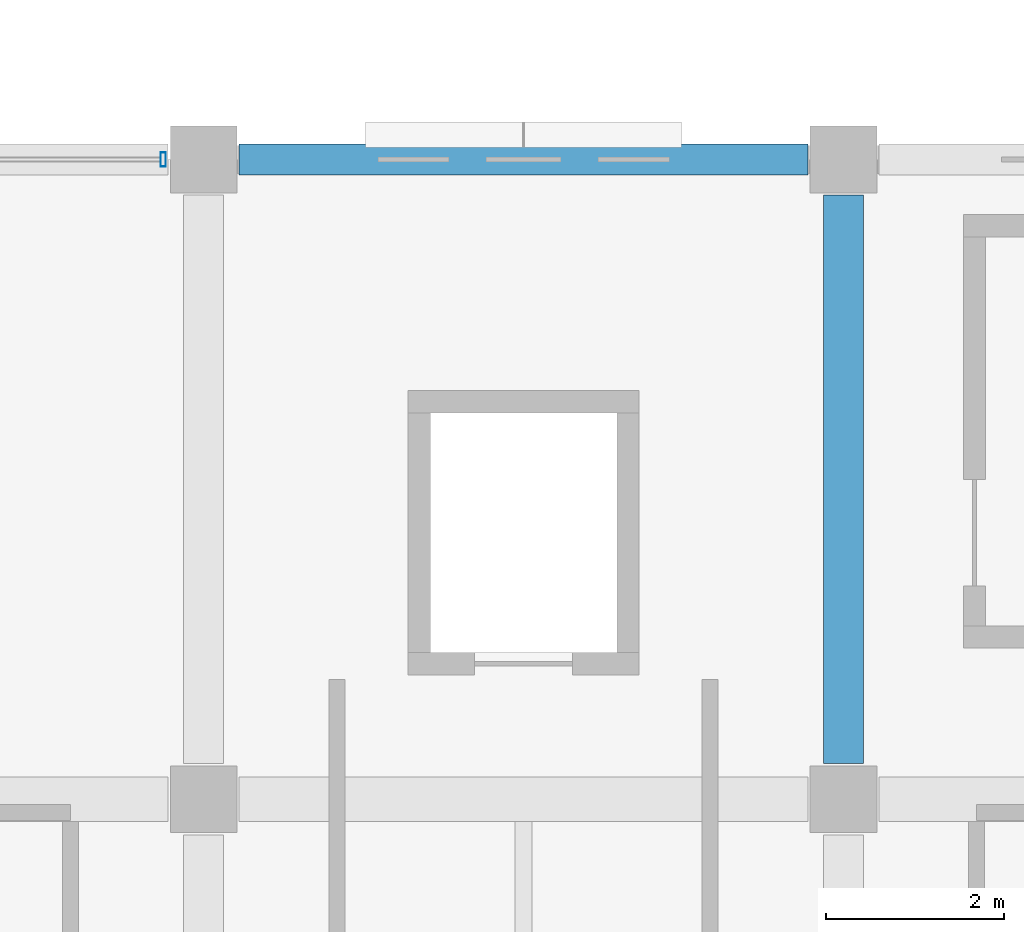
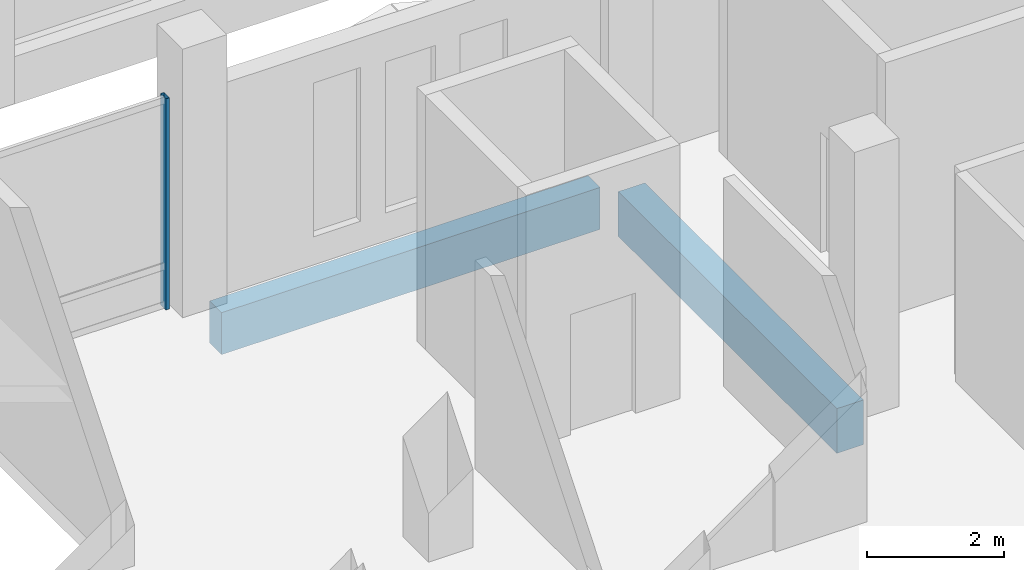
# One storey, part 72 of 193: 2 beams, 1 member, 1 element without a shape of its own.
"""IFC4 building model written with IfcOpenShell, lengths in metres."""

from ifc_helpers import new_model, si_unit, direction, frame, origin, origin_2d, place, context, subcontext, project, spatial, rectangle, hollow_rectangle, extrude, material, material_profile, profile_set, type_object, element, aggregate, save


model = new_model("IFC4")

# Units and contexts
model_context = context("Model", 3, precision=1e-05, world=origin(), true_north=direction((0.0, 1.0)))
body_context = subcontext(model_context, "Body", "Model", "MODEL_VIEW")
ifc_project = project(units=[si_unit("LENGTHUNIT", "METRE"), si_unit("AREAUNIT", "SQUARE_METRE"), si_unit("VOLUMEUNIT", "CUBIC_METRE"), si_unit("PLANEANGLEUNIT", "RADIAN"), si_unit("MASSUNIT", "GRAM", prefix="KILO")], contexts=[model_context])

# Site, building, storey
site_placement = place(None, origin())
site = spatial("IfcSite", under=ifc_project, at=site_placement, CompositionType="ELEMENT")
building_placement = place(site_placement, origin())
building = spatial("IfcBuilding", under=site, at=building_placement, Name="Cendralis Lancet Convention Centre", CompositionType="ELEMENT")
storey_placement = place(building_placement, frame((0.0, 0.0, 10.199951171875)))
storey = spatial("IfcBuildingStorey", under=building, at=storey_placement, Name="L02", CompositionType="ELEMENT", Elevation=10.199951171875)

# Curtain wall, member
ifc_material_1 = material(Name="Anodised bronze architectural aluminium", Category="aluminium")
curtain_wall_type = type_object("IfcCurtainWallType", Name="ARC-CW-CL02", PredefinedType="USERDEFINED", material=ifc_material_1)
curtain_wall_placement = place(storey_placement, origin())
curtain_wall = element("IfcCurtainWall", 1, at=curtain_wall_placement, inside=storey, type_object=curtain_wall_type, Name="L02 Curtain Wall CW-CL2 #185", ObjectType="CURTAIN WALL", PredefinedType="USERDEFINED")
ifc_material_profile_1 = material_profile(ifc_material_1, hollow_rectangle(XDim=0.06005859375, YDim=0.159912109375, WallThickness=0.00390625, at=origin_2d()), Name="AL-MULL 60x160x4.0")
ifc_profile_set_1 = profile_set([ifc_material_profile_1], Name="Anodised bronze architectural aluminium")
member_type = type_object("IfcMemberType", Name="ARC-CW-ML01", PredefinedType="MULLION", material=ifc_profile_set_1)
member_placement = place(storey_placement, frame((160.344970703125, 36.0, 0.0), z_axis=(0.0, 0.0, 1.0), x_axis=(1.0, 0.0, 0.0)))
member = element("IfcMember", 2, at=member_placement, type_object=member_type, Name="Mullion CW2-CW-CL2-L02-185-M2", PredefinedType="MULLION", context=body_context, shape_type="SweptSolid", body=[
    extrude(hollow_rectangle(XDim=0.06005859375, YDim=0.159912109375, WallThickness=0.00390625, at=origin_2d()), origin(), (0.0, 0.0, 1.0), 3.775146484375),
])
aggregate(curtain_wall, [member])

# Beams
ifc_material_2 = material(Name="Concrete G35 (C35/45)", Category="concrete")
ifc_material_profile_2 = material_profile(ifc_material_2, rectangle(XDim=0.449951171875, YDim=0.800048828125, at=origin_2d()), Name="RCB 450x800")
ifc_profile_set_2 = profile_set([ifc_material_profile_2], Name="Concrete G35 (C35/45)")
beam_type_1 = type_object("IfcBeamType", Name="STR-BM-BG10", PredefinedType="BEAM", material=ifc_profile_set_2)
beam_1_placement = place(storey_placement, frame((168.0, 29.199951171875, -0.699951171875), z_axis=(0.0, 1.0, 0.0), x_axis=(-1.0, 0.0, 0.0)))
element("IfcBeam", 3, at=beam_1_placement, inside=storey, type_object=beam_type_1, Name="L02 Beam BG10 #0325", PredefinedType="BEAM", context=body_context, shape_type="SweptSolid", body=[
    extrude(rectangle(XDim=0.449951171875, YDim=0.800048828125, at=origin_2d()), origin(), (0.0, 0.0, 1.0), 6.400146484375),
])
ifc_material_3 = material(Name="Concrete G40 (C40/50)", Category="concrete")
ifc_material_profile_3 = material_profile(ifc_material_3, rectangle(XDim=0.35009765625, YDim=0.75, at=origin_2d()), Name="RCB 350x750")
ifc_profile_set_3 = profile_set([ifc_material_profile_3], Name="Concrete G40 (C40/50)")
beam_type_2 = type_object("IfcBeamType", Name="STR-SP-SP01", PredefinedType="SPANDREL", material=ifc_profile_set_3)
beam_2_placement = place(storey_placement, frame((161.199951171875, 36.0, -0.675048828125), z_axis=(1.0, 0.0, 0.0), x_axis=(0.0, 1.0, 0.0)))
element("IfcBeam", 4, at=beam_2_placement, inside=storey, type_object=beam_type_2, Name="L02 Beam SP01 #0297", PredefinedType="SPANDREL", context=body_context, shape_type="SweptSolid", body=[
    extrude(rectangle(XDim=0.35009765625, YDim=0.75, at=origin_2d()), origin(), (0.0, 0.0, 1.0), 6.400146484375),
])

save(model, "model.ifc")
